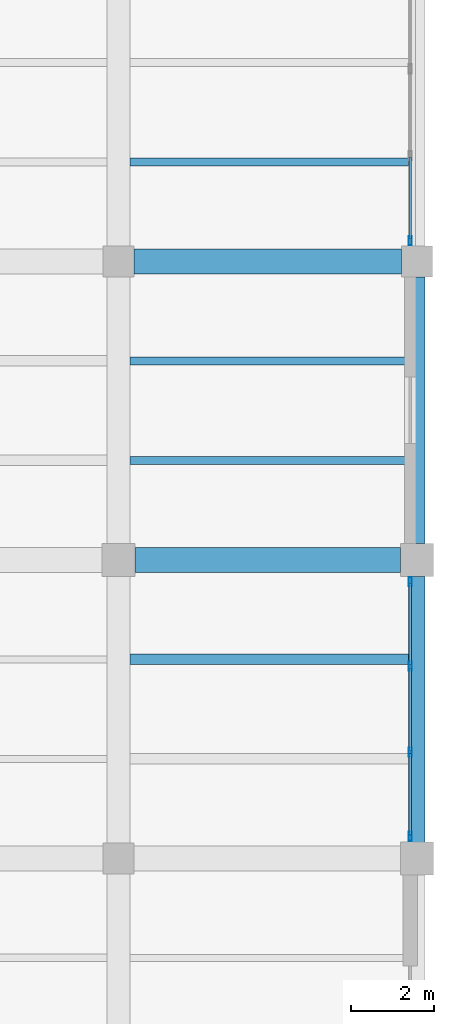
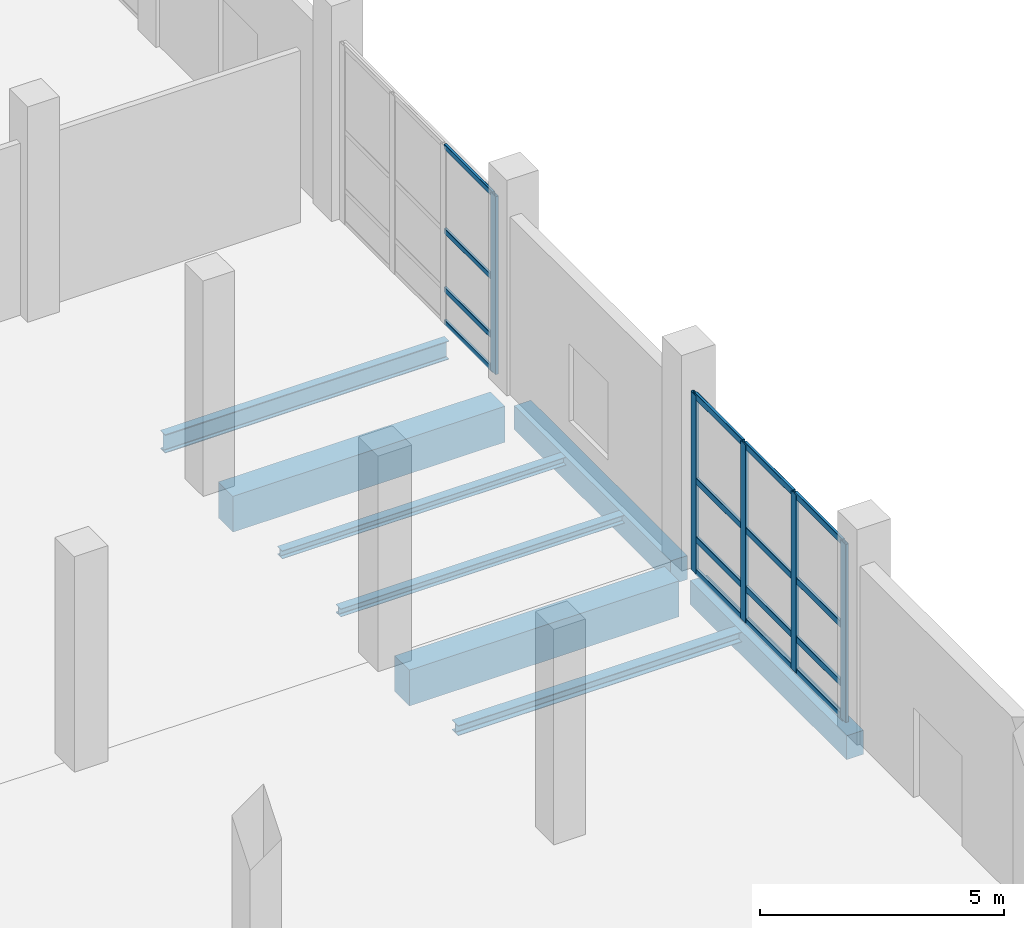
# One storey, part 73 of 137: 21 members, 8 beams, 2 elements without a shape of their own.
"""IFC4 building model written with IfcOpenShell, lengths in metres."""

from ifc_helpers import new_model, si_unit, direction, frame, origin, origin_2d, place, context, subcontext, project, spatial, rectangle, hollow_rectangle, i_section, extrude, material, material_profile, profile_set, type_object, element, aggregate, save


model = new_model("IFC4")

# Units and contexts
model_context = context("Model", 3, precision=1e-05, world=origin(), true_north=direction((0.0, 1.0)))
body_context = subcontext(model_context, "Body", "Model", "MODEL_VIEW")
ifc_project = project(units=[si_unit("LENGTHUNIT", "METRE"), si_unit("AREAUNIT", "SQUARE_METRE"), si_unit("VOLUMEUNIT", "CUBIC_METRE"), si_unit("PLANEANGLEUNIT", "RADIAN"), si_unit("MASSUNIT", "GRAM", prefix="KILO")], contexts=[model_context])

# Site, building, storey
site_placement = place(None, origin())
site = spatial("IfcSite", under=ifc_project, at=site_placement, CompositionType="ELEMENT")
building_placement = place(site_placement, origin())
building = spatial("IfcBuilding", under=site, at=building_placement, Name="Kalmorath City Hall", CompositionType="ELEMENT")
storey_placement = place(building_placement, origin())
storey = spatial("IfcBuildingStorey", under=building, at=storey_placement, Name="L00", CompositionType="ELEMENT", Elevation=0.0)

# Beams
ifc_material_1 = material(Name="Concrete C40/50", Category="concrete")
ifc_material_profile_1 = material_profile(ifc_material_1, rectangle(XDim=0.39990234375, YDim=0.60009765625, at=origin_2d()), Name="RC-BM-400X600")
ifc_profile_set_1 = profile_set([ifc_material_profile_1], Name="Concrete C40/50")
beam_type_1 = type_object("IfcBeamType", Name="Concrete edge beam 400x600", PredefinedType="SPANDREL", material=ifc_profile_set_1)
beam_1_placement = place(storey_placement, frame((165.60009765625, 36.375, -0.60400390625), z_axis=(0.0, 1.0, 0.0), x_axis=(-1.0, 0.0, 0.0)))
element("IfcBeam", 1, at=beam_1_placement, inside=storey, type_object=beam_type_1, Name="L00 girder CB6 Y24/6-7", PredefinedType="SPANDREL", context=body_context, shape_type="SweptSolid", body=[
    extrude(rectangle(XDim=0.39990234375, YDim=0.60009765625, at=origin_2d()), origin(), (0.0, 0.0, 1.0), 6.425048828125),
])
beam_2_placement = place(storey_placement, frame((165.60009765625, 43.60009765625, -0.60400390625), z_axis=(0.0, 1.0, 0.0), x_axis=(-1.0, 0.0, 0.0)))
element("IfcBeam", 2, at=beam_2_placement, inside=storey, type_object=beam_type_1, Name="L00 girder CB6 Y24/7-8", PredefinedType="SPANDREL", context=body_context, shape_type="SweptSolid", body=[
    extrude(rectangle(XDim=0.39990234375, YDim=0.60009765625, at=origin_2d()), origin(), (0.0, 0.0, 1.0), 6.4248046875),
])
ifc_material_2 = material(Name="Concrete C40/50", Category="concrete")
ifc_material_profile_2 = material_profile(ifc_material_2, rectangle(XDim=0.60009765625, YDim=0.89990234375, at=origin_2d()), Name="RC-BM-600X900")
ifc_profile_set_2 = profile_set([ifc_material_profile_2], Name="Concrete C40/50")
beam_type_2 = type_object("IfcBeamType", Name="Concrete floor girder 600x900", PredefinedType="BEAM", material=ifc_profile_set_2)
beam_3_placement = place(storey_placement, frame((158.800048828125, 43.199951171875, -0.75390625), z_axis=(1.0, 0.0, 0.0), x_axis=(0.0, 1.0, 0.0)))
element("IfcBeam", 3, at=beam_3_placement, inside=storey, type_object=beam_type_2, Name="L00 girder CB1 X23-24/7", PredefinedType="BEAM", context=body_context, shape_type="SweptSolid", body=[
    extrude(rectangle(XDim=0.60009765625, YDim=0.89990234375, at=origin_2d()), origin(), (0.0, 0.0, 1.0), 6.39990234375),
])
beam_4_placement = place(storey_placement, frame((158.77490234375, 50.39990234375, -0.75390625), z_axis=(1.0, 0.0, 0.0), x_axis=(0.0, 1.0, 0.0)))
element("IfcBeam", 4, at=beam_4_placement, inside=storey, type_object=beam_type_2, Name="L00 girder CB1 X23-24/8", PredefinedType="BEAM", context=body_context, shape_type="SweptSolid", body=[
    extrude(rectangle(XDim=0.60009765625, YDim=0.89990234375, at=origin_2d()), origin(), (0.0, 0.0, 1.0), 6.4501953125),
])

# Curtain wall, members
ifc_material_3 = material(Name="Anodised aluminium and laminated glass", Category="aluminium")
curtain_wall_type_1 = type_object("IfcCurtainWallType", Name="Unitised hurricane curtain wall 6270x4461 M1850", PredefinedType="NOTDEFINED", material=ifc_material_3)
curtain_wall_1_placement = place(storey_placement, origin())
curtain_wall_1 = element("IfcCurtainWall", 5, at=curtain_wall_1_placement, inside=storey, type_object=curtain_wall_type_1, Name="L00 curtain wall CW-63X45M18 #8", PredefinedType="NOTDEFINED")
ifc_material_4 = material(Name="Anodised aluminium framing", Category="aluminium")
ifc_material_profile_3 = material_profile(ifc_material_4, hollow_rectangle(XDim=0.06005859375, YDim=0.1298828125, WallThickness=0.00341796875, InnerFilletRadius=0.00341796875, OuterFilletRadius=0.007080078125, at=origin_2d()), Name="ALU-TRN-130X60X3.5")
ifc_profile_set_3 = profile_set([ifc_material_profile_3], Name="Anodised aluminium framing")
member_type_1 = type_object("IfcMemberType", Name="Curtain-wall courtyard transom 130x60", PredefinedType="USERDEFINED", material=ifc_profile_set_3)
member_1_placement = place(storey_placement, frame((165.43994140625, 52.91748046875, 0.030029296875), z_axis=(0.0, -1.0, 0.0), x_axis=(1.0, 0.0, 0.0)))
member_1 = element("IfcMember", 6, at=member_1_placement, type_object=member_type_1, Name="CW-63X45M18 transom 3.1", ObjectType="TRANSOM", PredefinedType="USERDEFINED", context=body_context, shape_type="SweptSolid", body=[
    extrude(hollow_rectangle(XDim=0.06005859375, YDim=0.1298828125, WallThickness=0.00341796875, InnerFilletRadius=0.00341796875, OuterFilletRadius=0.007080078125, at=origin_2d()), origin(), (0.0, 0.0, 1.0), 1.9775390625),
])
member_2_placement = place(storey_placement, frame((165.43994140625, 52.91748046875, 0.85009765625), z_axis=(0.0, -1.0, 0.0), x_axis=(1.0, 0.0, 0.0)))
member_2 = element("IfcMember", 7, at=member_2_placement, type_object=member_type_1, Name="CW-63X45M18 transom 3.2", ObjectType="TRANSOM", PredefinedType="USERDEFINED", context=body_context, shape_type="SweptSolid", body=[
    extrude(hollow_rectangle(XDim=0.06005859375, YDim=0.1298828125, WallThickness=0.00341796875, InnerFilletRadius=0.00341796875, OuterFilletRadius=0.007080078125, at=origin_2d()), origin(), (0.0, 0.0, 1.0), 1.9775390625),
])
member_3_placement = place(storey_placement, frame((165.43994140625, 52.91748046875, 2.320068359375), z_axis=(0.0, -1.0, 0.0), x_axis=(1.0, 0.0, 0.0)))
member_3 = element("IfcMember", 8, at=member_3_placement, type_object=member_type_1, Name="CW-63X45M18 transom 3.3", ObjectType="TRANSOM", PredefinedType="USERDEFINED", context=body_context, shape_type="SweptSolid", body=[
    extrude(hollow_rectangle(XDim=0.06005859375, YDim=0.1298828125, WallThickness=0.00341796875, InnerFilletRadius=0.00341796875, OuterFilletRadius=0.007080078125, at=origin_2d()), origin(), (0.0, 0.0, 1.0), 1.9775390625),
])
member_4_placement = place(storey_placement, frame((165.43994140625, 52.91748046875, 4.430908203125), z_axis=(0.0, -1.0, 0.0), x_axis=(1.0, 0.0, 0.0)))
member_4 = element("IfcMember", 9, at=member_4_placement, type_object=member_type_1, Name="CW-63X45M18 transom 3.4", ObjectType="TRANSOM", PredefinedType="USERDEFINED", context=body_context, shape_type="SweptSolid", body=[
    extrude(hollow_rectangle(XDim=0.06005859375, YDim=0.1298828125, WallThickness=0.00341796875, InnerFilletRadius=0.00341796875, OuterFilletRadius=0.007080078125, at=origin_2d()), origin(), (0.0, 0.0, 1.0), 1.9775390625),
])
ifc_material_5 = material(Name="Anodised aluminium framing", Category="aluminium")
ifc_material_profile_4 = material_profile(ifc_material_5, hollow_rectangle(XDim=0.074951171875, YDim=0.219970703125, WallThickness=0.00390625, InnerFilletRadius=0.00390625, OuterFilletRadius=0.008056640625, at=origin_2d()), Name="ALU-MUL-220X75X4")
ifc_profile_set_4 = profile_set([ifc_material_profile_4], Name="Anodised aluminium framing")
member_type_2 = type_object("IfcMemberType", Name="Curtain-wall primary mullion 220x75", PredefinedType="MULLION", material=ifc_profile_set_4)
member_5_placement = place(storey_placement, frame((165.43994140625, 50.902587890625, 0.0), z_axis=(0.0, 0.0, 1.0), x_axis=(1.0, 0.0, 0.0)))
member_5 = element("IfcMember", 10, at=member_5_placement, type_object=member_type_2, Name="CW-63X45M18 mullion 4", PredefinedType="MULLION", context=body_context, shape_type="SweptSolid", body=[
    extrude(hollow_rectangle(XDim=0.074951171875, YDim=0.219970703125, WallThickness=0.00390625, InnerFilletRadius=0.00390625, OuterFilletRadius=0.008056640625, at=origin_2d()), origin(), (0.0, 0.0, 1.0), 4.4609375),
])
aggregate(curtain_wall_1, [member_5, member_1, member_2, member_3, member_4])

ifc_material_6 = material(Name="Anodised aluminium and laminated glass", Category="aluminium")
curtain_wall_type_2 = type_object("IfcCurtainWallType", Name="Unitised hurricane curtain wall 6220x4461 M1800", PredefinedType="NOTDEFINED", material=ifc_material_6)
curtain_wall_2_placement = place(storey_placement, origin())
curtain_wall_2 = element("IfcCurtainWall", 11, at=curtain_wall_2_placement, inside=storey, type_object=curtain_wall_type_2, Name="L00 curtain wall CW-62X45M18 #9", PredefinedType="NOTDEFINED")
member_6_placement = place(storey_placement, frame((165.43994140625, 42.672607421875, 0.0), z_axis=(0.0, 0.0, 1.0), x_axis=(1.0, 0.0, 0.0)))
member_6 = element("IfcMember", 12, at=member_6_placement, type_object=member_type_2, Name="CW-62X45M18 mullion 1", PredefinedType="MULLION", context=body_context, shape_type="SweptSolid", body=[
    extrude(hollow_rectangle(XDim=0.074951171875, YDim=0.219970703125, WallThickness=0.00390625, InnerFilletRadius=0.00390625, OuterFilletRadius=0.008056640625, at=origin_2d()), origin(), (0.0, 0.0, 1.0), 4.4609375),
])
member_7_placement = place(storey_placement, frame((165.43994140625, 40.63671875, 0.0), z_axis=(0.0, 0.0, 1.0), x_axis=(1.0, 0.0, 0.0)))
member_7 = element("IfcMember", 13, at=member_7_placement, type_object=member_type_2, Name="CW-62X45M18 mullion 2", PredefinedType="MULLION", context=body_context, shape_type="SweptSolid", body=[
    extrude(hollow_rectangle(XDim=0.074951171875, YDim=0.219970703125, WallThickness=0.00390625, InnerFilletRadius=0.00390625, OuterFilletRadius=0.008056640625, at=origin_2d()), origin(), (0.0, 0.0, 1.0), 4.4609375),
])
member_8_placement = place(storey_placement, frame((165.43994140625, 38.563232421875, 0.0), z_axis=(0.0, 0.0, 1.0), x_axis=(1.0, 0.0, 0.0)))
member_8 = element("IfcMember", 14, at=member_8_placement, type_object=member_type_2, Name="CW-62X45M18 mullion 3", PredefinedType="MULLION", context=body_context, shape_type="SweptSolid", body=[
    extrude(hollow_rectangle(XDim=0.074951171875, YDim=0.219970703125, WallThickness=0.00390625, InnerFilletRadius=0.00390625, OuterFilletRadius=0.008056640625, at=origin_2d()), origin(), (0.0, 0.0, 1.0), 4.4609375),
])
member_9_placement = place(storey_placement, frame((165.43994140625, 36.527587890625, 0.0), z_axis=(0.0, 0.0, 1.0), x_axis=(1.0, 0.0, 0.0)))
member_9 = element("IfcMember", 15, at=member_9_placement, type_object=member_type_2, Name="CW-62X45M18 mullion 4", PredefinedType="MULLION", context=body_context, shape_type="SweptSolid", body=[
    extrude(hollow_rectangle(XDim=0.074951171875, YDim=0.219970703125, WallThickness=0.00390625, InnerFilletRadius=0.00390625, OuterFilletRadius=0.008056640625, at=origin_2d()), origin(), (0.0, 0.0, 1.0), 4.4609375),
])
ifc_material_7 = material(Name="Anodised aluminium framing", Category="aluminium")
ifc_material_profile_5 = material_profile(ifc_material_7, hollow_rectangle(XDim=0.06494140625, YDim=0.159912109375, WallThickness=0.00390625, InnerFilletRadius=0.00390625, OuterFilletRadius=0.008056640625, at=origin_2d()), Name="ALU-TRN-160X65X4")
ifc_profile_set_5 = profile_set([ifc_material_profile_5], Name="Anodised aluminium framing")
member_type_3 = type_object("IfcMemberType", Name="Curtain-wall primary transom 160x65", PredefinedType="USERDEFINED", material=ifc_profile_set_5)
member_10_placement = place(storey_placement, frame((165.43994140625, 42.635009765625, 0.032470703125), z_axis=(0.0, -1.0, 0.0), x_axis=(1.0, 0.0, 0.0)))
member_10 = element("IfcMember", 16, at=member_10_placement, type_object=member_type_3, Name="CW-62X45M18 transom 1.1", ObjectType="TRANSOM", PredefinedType="USERDEFINED", context=body_context, shape_type="SweptSolid", body=[
    extrude(hollow_rectangle(XDim=0.06494140625, YDim=0.159912109375, WallThickness=0.00390625, InnerFilletRadius=0.00390625, OuterFilletRadius=0.008056640625, at=origin_2d()), origin(), (0.0, 0.0, 1.0), 1.9609375),
])
member_11_placement = place(storey_placement, frame((165.43994140625, 42.635009765625, 0.85009765625), z_axis=(0.0, -1.0, 0.0), x_axis=(1.0, 0.0, 0.0)))
member_11 = element("IfcMember", 17, at=member_11_placement, type_object=member_type_3, Name="CW-62X45M18 transom 1.2", ObjectType="TRANSOM", PredefinedType="USERDEFINED", context=body_context, shape_type="SweptSolid", body=[
    extrude(hollow_rectangle(XDim=0.06494140625, YDim=0.159912109375, WallThickness=0.00390625, InnerFilletRadius=0.00390625, OuterFilletRadius=0.008056640625, at=origin_2d()), origin(), (0.0, 0.0, 1.0), 1.9609375),
])
member_12_placement = place(storey_placement, frame((165.43994140625, 42.635009765625, 2.320068359375), z_axis=(0.0, -1.0, 0.0), x_axis=(1.0, 0.0, 0.0)))
member_12 = element("IfcMember", 18, at=member_12_placement, type_object=member_type_3, Name="CW-62X45M18 transom 1.3", ObjectType="TRANSOM", PredefinedType="USERDEFINED", context=body_context, shape_type="SweptSolid", body=[
    extrude(hollow_rectangle(XDim=0.06494140625, YDim=0.159912109375, WallThickness=0.00390625, InnerFilletRadius=0.00390625, OuterFilletRadius=0.008056640625, at=origin_2d()), origin(), (0.0, 0.0, 1.0), 1.9609375),
])
member_13_placement = place(storey_placement, frame((165.43994140625, 42.635009765625, 4.428466796875), z_axis=(0.0, -1.0, 0.0), x_axis=(1.0, 0.0, 0.0)))
member_13 = element("IfcMember", 19, at=member_13_placement, type_object=member_type_3, Name="CW-62X45M18 transom 1.4", ObjectType="TRANSOM", PredefinedType="USERDEFINED", context=body_context, shape_type="SweptSolid", body=[
    extrude(hollow_rectangle(XDim=0.06494140625, YDim=0.159912109375, WallThickness=0.00390625, InnerFilletRadius=0.00390625, OuterFilletRadius=0.008056640625, at=origin_2d()), origin(), (0.0, 0.0, 1.0), 1.9609375),
])
member_14_placement = place(storey_placement, frame((165.43994140625, 40.59912109375, 0.032470703125), z_axis=(0.0, -1.0, 0.0), x_axis=(1.0, 0.0, 0.0)))
member_14 = element("IfcMember", 20, at=member_14_placement, type_object=member_type_3, Name="CW-62X45M18 transom 2.1", ObjectType="TRANSOM", PredefinedType="USERDEFINED", context=body_context, shape_type="SweptSolid", body=[
    extrude(hollow_rectangle(XDim=0.06494140625, YDim=0.159912109375, WallThickness=0.00390625, InnerFilletRadius=0.00390625, OuterFilletRadius=0.008056640625, at=origin_2d()), origin(), (0.0, 0.0, 1.0), 1.998291015625),
])
member_15_placement = place(storey_placement, frame((165.43994140625, 40.59912109375, 0.85009765625), z_axis=(0.0, -1.0, 0.0), x_axis=(1.0, 0.0, 0.0)))
member_15 = element("IfcMember", 21, at=member_15_placement, type_object=member_type_3, Name="CW-62X45M18 transom 2.2", ObjectType="TRANSOM", PredefinedType="USERDEFINED", context=body_context, shape_type="SweptSolid", body=[
    extrude(hollow_rectangle(XDim=0.06494140625, YDim=0.159912109375, WallThickness=0.00390625, InnerFilletRadius=0.00390625, OuterFilletRadius=0.008056640625, at=origin_2d()), origin(), (0.0, 0.0, 1.0), 1.998291015625),
])
member_16_placement = place(storey_placement, frame((165.43994140625, 40.59912109375, 2.320068359375), z_axis=(0.0, -1.0, 0.0), x_axis=(1.0, 0.0, 0.0)))
member_16 = element("IfcMember", 22, at=member_16_placement, type_object=member_type_3, Name="CW-62X45M18 transom 2.3", ObjectType="TRANSOM", PredefinedType="USERDEFINED", context=body_context, shape_type="SweptSolid", body=[
    extrude(hollow_rectangle(XDim=0.06494140625, YDim=0.159912109375, WallThickness=0.00390625, InnerFilletRadius=0.00390625, OuterFilletRadius=0.008056640625, at=origin_2d()), origin(), (0.0, 0.0, 1.0), 1.998291015625),
])
member_17_placement = place(storey_placement, frame((165.43994140625, 40.59912109375, 4.428466796875), z_axis=(0.0, -1.0, 0.0), x_axis=(1.0, 0.0, 0.0)))
member_17 = element("IfcMember", 23, at=member_17_placement, type_object=member_type_3, Name="CW-62X45M18 transom 2.4", ObjectType="TRANSOM", PredefinedType="USERDEFINED", context=body_context, shape_type="SweptSolid", body=[
    extrude(hollow_rectangle(XDim=0.06494140625, YDim=0.159912109375, WallThickness=0.00390625, InnerFilletRadius=0.00390625, OuterFilletRadius=0.008056640625, at=origin_2d()), origin(), (0.0, 0.0, 1.0), 1.998291015625),
])
member_18_placement = place(storey_placement, frame((165.43994140625, 38.52587890625, 0.032470703125), z_axis=(0.0, -1.0, 0.0), x_axis=(1.0, 0.0, 0.0)))
member_18 = element("IfcMember", 24, at=member_18_placement, type_object=member_type_3, Name="CW-62X45M18 transom 3.1", ObjectType="TRANSOM", PredefinedType="USERDEFINED", context=body_context, shape_type="SweptSolid", body=[
    extrude(hollow_rectangle(XDim=0.06494140625, YDim=0.159912109375, WallThickness=0.00390625, InnerFilletRadius=0.00390625, OuterFilletRadius=0.008056640625, at=origin_2d()), origin(), (0.0, 0.0, 1.0), 1.9609375),
])
member_19_placement = place(storey_placement, frame((165.43994140625, 38.52587890625, 0.85009765625), z_axis=(0.0, -1.0, 0.0), x_axis=(1.0, 0.0, 0.0)))
member_19 = element("IfcMember", 25, at=member_19_placement, type_object=member_type_3, Name="CW-62X45M18 transom 3.2", ObjectType="TRANSOM", PredefinedType="USERDEFINED", context=body_context, shape_type="SweptSolid", body=[
    extrude(hollow_rectangle(XDim=0.06494140625, YDim=0.159912109375, WallThickness=0.00390625, InnerFilletRadius=0.00390625, OuterFilletRadius=0.008056640625, at=origin_2d()), origin(), (0.0, 0.0, 1.0), 1.9609375),
])
member_20_placement = place(storey_placement, frame((165.43994140625, 38.52587890625, 2.320068359375), z_axis=(0.0, -1.0, 0.0), x_axis=(1.0, 0.0, 0.0)))
member_20 = element("IfcMember", 26, at=member_20_placement, type_object=member_type_3, Name="CW-62X45M18 transom 3.3", ObjectType="TRANSOM", PredefinedType="USERDEFINED", context=body_context, shape_type="SweptSolid", body=[
    extrude(hollow_rectangle(XDim=0.06494140625, YDim=0.159912109375, WallThickness=0.00390625, InnerFilletRadius=0.00390625, OuterFilletRadius=0.008056640625, at=origin_2d()), origin(), (0.0, 0.0, 1.0), 1.9609375),
])
member_21_placement = place(storey_placement, frame((165.43994140625, 38.52587890625, 4.428466796875), z_axis=(0.0, -1.0, 0.0), x_axis=(1.0, 0.0, 0.0)))
member_21 = element("IfcMember", 27, at=member_21_placement, type_object=member_type_3, Name="CW-62X45M18 transom 3.4", ObjectType="TRANSOM", PredefinedType="USERDEFINED", context=body_context, shape_type="SweptSolid", body=[
    extrude(hollow_rectangle(XDim=0.06494140625, YDim=0.159912109375, WallThickness=0.00390625, InnerFilletRadius=0.00390625, OuterFilletRadius=0.008056640625, at=origin_2d()), origin(), (0.0, 0.0, 1.0), 1.9609375),
])
aggregate(curtain_wall_2, [member_6, member_7, member_8, member_9, member_10, member_11, member_12, member_13, member_14, member_15, member_16, member_17, member_18, member_19, member_20, member_21])

# Beams
ifc_material_8 = material(Name="Steel ASTM A992 Grade 50", Category="steel")
ifc_material_profile_6 = material_profile(ifc_material_8, i_section(OverallWidth=0.193115234375, OverallDepth=0.466064453125, WebThickness=0.011474609375, FlangeThickness=0.01904296875, FilletRadius=0.013916015625, at=origin_2d()), Name="W18X65")
ifc_profile_set_6 = profile_set([ifc_material_profile_6], Name="Steel ASTM A992 Grade 50")
beam_type_3 = type_object("IfcBeamType", Name="Steel composite joist W18X65", PredefinedType="JOIST", material=ifc_profile_set_6)
beam_5_placement = place(storey_placement, frame((158.675048828125, 52.800048828125, -0.537109375), z_axis=(1.0, 0.0, 0.0), x_axis=(0.0, 1.0, 0.0)))
element("IfcBeam", 28, at=beam_5_placement, inside=storey, type_object=beam_type_3, Name="L00 joist SJ1 23.8.1", PredefinedType="JOIST", context=body_context, shape_type="SweptSolid", body=[
    extrude(i_section(OverallWidth=0.193115234375, OverallDepth=0.466064453125, WebThickness=0.011474609375, FlangeThickness=0.01904296875, FilletRadius=0.013916015625, at=origin_2d()), origin(), (0.0, 0.0, 1.0), 6.724853515625),
])
ifc_material_9 = material(Name="Steel ASTM A992 Grade 50", Category="steel")
ifc_material_profile_7 = material_profile(ifc_material_9, i_section(OverallWidth=0.202880859375, OverallDepth=0.202880859375, WebThickness=0.007080078125, FlangeThickness=0.010986328125, FilletRadius=0.010986328125, at=origin_2d()), Name="W8X31")
ifc_profile_set_7 = profile_set([ifc_material_profile_7], Name="Steel ASTM A992 Grade 50")
beam_type_4 = type_object("IfcBeamType", Name="Steel edge trimmer W8X31", PredefinedType="LINTEL", material=ifc_profile_set_7)
for number, where, z_axis, x_axis, name in (
    (29, (158.675048828125, 45.60009765625, -0.405517578125), (1.0, 0.0, 0.0), (0.0, 1.0, 0.0), "L00 joist SJ16 23.7.1"),
    (30, (158.675048828125, 48.0, -0.405517578125), (1.0, 0.0, 0.0), (0.0, 1.0, 0.0), "L00 joist SJ16 23.7.2"),
):
    element("IfcBeam", number, at=place(storey_placement, frame(where, z_axis=z_axis, x_axis=x_axis)), inside=storey, type_object=beam_type_4, Name=name, PredefinedType="LINTEL", context=body_context, shape_type="SweptSolid", body=[
        extrude(i_section(OverallWidth=0.202880859375, OverallDepth=0.202880859375, WebThickness=0.007080078125, FlangeThickness=0.010986328125, FilletRadius=0.010986328125, at=origin_2d()), origin(), (0.0, 0.0, 1.0), 6.724853515625),
    ])
ifc_material_10 = material(Name="Steel ASTM A992 Grade 50", Category="steel")
ifc_material_profile_8 = material_profile(ifc_material_10, i_section(OverallWidth=0.25390625, OverallDepth=0.2529296875, WebThickness=0.008544921875, FlangeThickness=0.01416015625, FilletRadius=0.011962890625, at=origin_2d()), Name="W10X49")
ifc_profile_set_8 = profile_set([ifc_material_profile_8], Name="Steel ASTM A992 Grade 50")
beam_type_5 = type_object("IfcBeamType", Name="Steel trimmer beam W10X49", PredefinedType="BEAM", material=ifc_profile_set_8)
beam_6_placement = place(storey_placement, frame((158.675048828125, 40.800048828125, -0.430419921875), z_axis=(1.0, 0.0, 0.0), x_axis=(0.0, 1.0, 0.0)))
element("IfcBeam", 31, at=beam_6_placement, inside=storey, type_object=beam_type_5, Name="L00 joist SJ14 23.6.2", PredefinedType="BEAM", context=body_context, shape_type="SweptSolid", body=[
    extrude(i_section(OverallWidth=0.25390625, OverallDepth=0.2529296875, WebThickness=0.008544921875, FlangeThickness=0.01416015625, FilletRadius=0.011962890625, at=origin_2d()), origin(), (0.0, 0.0, 1.0), 6.724853515625),
])

save(model, "model.ifc")
